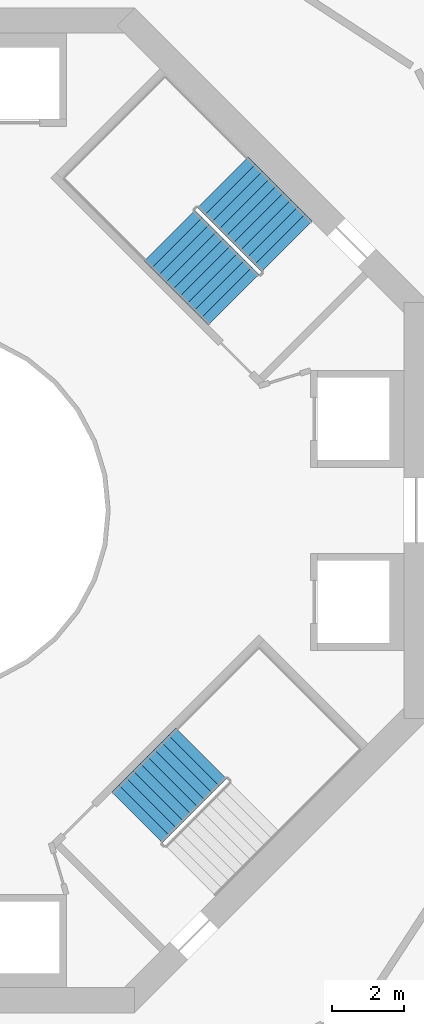
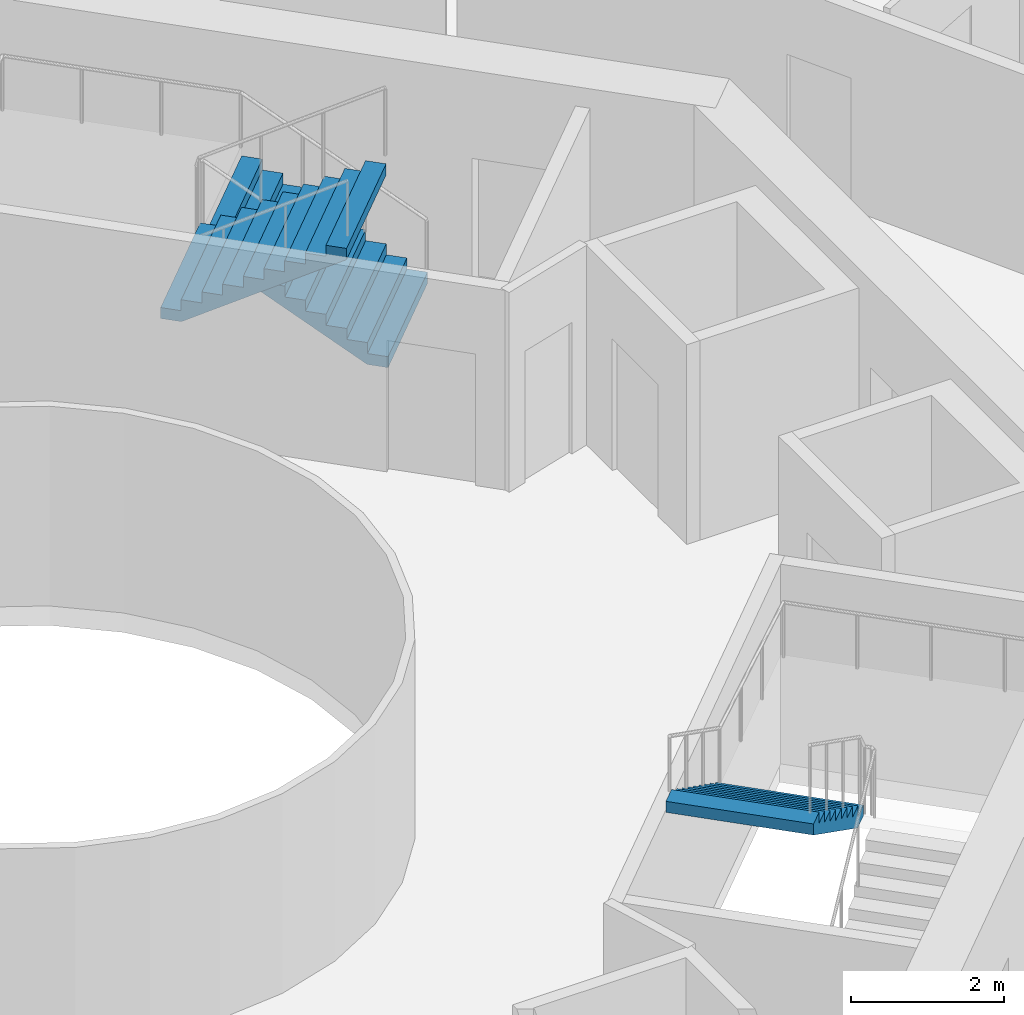
# One storey, part 22 of 23: 3 stair flights, 2 elements without a shape of their own.
"""IFC4 building model written with IfcOpenShell, lengths in metres."""

from ifc_helpers import new_model, si_unit, direction, frame, origin, place, context, subcontext, project, spatial, triangles, material, type_object, element, aggregate, save


model = new_model("IFC4")

# Units and contexts
model_context = context("Model", 3, precision=1e-05, world=origin(), true_north=direction((0.0, 1.0)))
body_context = subcontext(model_context, "Body", "Model", "MODEL_VIEW")
ifc_project = project(units=[si_unit("LENGTHUNIT", "METRE"), si_unit("AREAUNIT", "SQUARE_METRE"), si_unit("VOLUMEUNIT", "CUBIC_METRE"), si_unit("PLANEANGLEUNIT", "RADIAN"), si_unit("MASSUNIT", "GRAM", prefix="KILO")], contexts=[model_context])

# Site, building, storey
site_placement = place(None, origin())
site = spatial("IfcSite", under=ifc_project, at=site_placement, CompositionType="ELEMENT")
building_placement = place(site_placement, origin())
building = spatial("IfcBuilding", under=site, at=building_placement, Name="Verdalira Terraces Hotel", CompositionType="ELEMENT")
storey_placement = place(building_placement, frame((0.0, 0.0, 143.5)))
storey = spatial("IfcBuildingStorey", under=building, at=storey_placement, Name="L34", CompositionType="ELEMENT", Elevation=143.5)

# Stair, stair flights
ifc_material_1 = material(Name="Concrete C40", Category="concrete")
stair_type = type_object("IfcStairType", Name="Core stair 20 risers 2000 mm wide", PredefinedType="HALF_TURN_STAIR", material=ifc_material_1)
stair_1_placement = place(storey_placement, origin())
stair_1 = element("IfcStair", 1, at=stair_1_placement, inside=storey, type_object=stair_type, Name="L34 Exit stair ST1", PredefinedType="HALF_TURN_STAIR")
ifc_material_2 = material(Name="Concrete C40", Category="concrete")
stair_flight_type = type_object("IfcStairFlightType", Name="Core stair flight 20 risers 2000 mm wide", PredefinedType="STRAIGHT", material=ifc_material_2)
stair_flight_1_placement = place(storey_placement, frame((10.041016, 7.354004, 0.0), z_axis=(0.0, 0.0, 1.0), x_axis=(-0.707106781, 0.707106781, 0.0)))
stair_flight_1 = element("IfcStairFlight", 2, at=stair_flight_1_placement, type_object=stair_flight_type, Name="ST1 flight 1", NumberOfRisers=10, NumberOfTreads=9, PredefinedType="STRAIGHT", RiserHeight=0.175, TreadLength=0.28, context=body_context, shape_type="Tessellation", body=[
    triangles([(0.0, 1.0, 0.0), (0.282715, 1.0, 0.0), (2.52002, 1.0, 1.398193), (0.0, -1.0, 0.0), (0.282715, -1.0, 0.0), (2.52002, -1.0, 1.398193), (2.52002, 1.0, 1.574951), (2.23999, 1.0, 1.574951), (2.52002, -1.0, 1.574951), (2.23999, -1.0, 1.574951), (2.23999, 1.0, 1.399902), (2.23999, -1.0, 1.399902), (1.959961, 1.0, 1.399902), (1.959961, -1.0, 1.399902), (1.959961, 1.0, 1.225098), (1.959961, -1.0, 1.225098), (1.679932, 1.0, 1.225098), (1.679932, 1.0, 1.050049), (1.679932, -1.0, 1.225098), (1.679932, -1.0, 1.050049), (1.399902, 1.0, 1.050049), (1.399902, 1.0, 0.875), (1.399902, -1.0, 1.050049), (1.399902, -1.0, 0.875), (1.120117, 1.0, 0.875), (1.120117, 1.0, 0.699951), (1.120117, -1.0, 0.875), (1.120117, -1.0, 0.699951), (0.840088, 1.0, 0.699951), (0.840088, 1.0, 0.524902), (0.840088, -1.0, 0.699951), (0.840088, -1.0, 0.524902), (0.560059, 1.0, 0.524902), (0.560059, 1.0, 0.350098), (0.560059, -1.0, 0.524902), (0.560059, -1.0, 0.350098), (0.280029, 1.0, 0.350098), (0.280029, 1.0, 0.175049), (0.280029, -1.0, 0.350098), (0.280029, -1.0, 0.175049), (0.0, 1.0, 0.175049), (0.0, -1.0, 0.175049), (0.0, -0.9375, 0.0), (0.0, -0.9375, 0.175049), (0.0, -0.875, 0.0), (0.0, -0.875, 0.175049), (0.0, -0.8125, 0.0), (0.0, -0.8125, 0.175049), (0.0, -0.75, 0.0), (0.0, -0.75, 0.175049), (0.0, -0.6875, 0.0), (0.0, -0.6875, 0.175049), (0.0, -0.625, 0.0), (0.0, -0.625, 0.175049), (0.0, -0.5625, 0.0), (0.0, -0.5625, 0.175049), (0.0, -0.5, 0.0), (0.0, -0.5, 0.175049), (0.0, -0.4375, 0.0), (0.0, -0.4375, 0.175049), (0.0, -0.375, 0.0), (0.0, -0.375, 0.175049), (0.0, -0.3125, 0.0), (0.0, -0.3125, 0.175049), (0.0, -0.25, 0.0), (0.0, -0.25, 0.175049), (0.0, -0.1875, 0.0), (0.0, -0.1875, 0.175049), (0.0, -0.125, 0.0), (0.0, -0.125, 0.175049), (0.0, -0.0625, 0.0), (0.0, -0.0625, 0.175049), (0.0, 0.0, 0.0), (0.0, 0.0, 0.175049), (0.0, 0.0625, 0.0), (0.0, 0.0625, 0.175049), (0.0, 0.125, 0.0), (0.0, 0.125, 0.175049), (0.0, 0.1875, 0.0), (0.0, 0.1875, 0.175049), (0.0, 0.25, 0.0), (0.0, 0.25, 0.175049), (0.0, 0.3125, 0.0), (0.0, 0.3125, 0.175049), (0.0, 0.375, 0.0), (0.0, 0.375, 0.175049), (0.0, 0.4375, 0.0), (0.0, 0.4375, 0.175049), (0.0, 0.5, 0.0), (0.0, 0.5, 0.175049), (0.0, 0.5625, 0.0), (0.0, 0.5625, 0.175049), (0.0, 0.625, 0.0), (0.0, 0.625, 0.175049), (0.0, 0.6875, 0.0), (0.0, 0.6875, 0.175049), (0.0, 0.75, 0.0), (0.0, 0.75, 0.175049), (0.0, 0.8125, 0.0), (0.0, 0.8125, 0.175049), (0.0, 0.875, 0.0), (0.0, 0.875, 0.175049), (0.0, 0.9375, 0.0), (0.0, 0.9375, 0.175049), (2.52002, -0.9375, 1.574951), (2.52002, -0.875, 1.574951), (2.52002, -0.8125, 1.574951), (2.52002, -0.75, 1.574951), (2.52002, -0.6875, 1.574951), (2.52002, -0.625, 1.574951), (2.52002, -0.5625, 1.574951), (2.52002, -0.5, 1.574951), (2.52002, -0.4375, 1.574951), (2.52002, -0.375, 1.574951), (2.52002, -0.3125, 1.574951), (2.52002, -0.25, 1.574951), (2.52002, -0.1875, 1.574951), (2.52002, -0.125, 1.574951), (2.52002, -0.0625, 1.574951), (2.52002, 0.0, 1.574951), (2.52002, 0.0625, 1.574951), (2.52002, 0.125, 1.574951), (2.52002, 0.1875, 1.574951), (2.52002, 0.25, 1.574951), (2.52002, 0.3125, 1.574951), (2.52002, 0.375, 1.574951), (2.52002, 0.4375, 1.574951), (2.52002, 0.5, 1.574951), (2.52002, 0.5625, 1.574951), (2.52002, 0.625, 1.574951), (2.52002, 0.6875, 1.574951), (2.52002, 0.75, 1.574951), (2.52002, 0.8125, 1.574951), (2.52002, 0.875, 1.574951), (2.52002, 0.9375, 1.574951), (2.52002, -0.9375, 1.398193), (2.52002, -0.875, 1.398193), (2.52002, -0.8125, 1.398193), (2.52002, -0.75, 1.398193), (2.52002, -0.6875, 1.398193), (2.52002, -0.625, 1.398193), (2.52002, -0.5625, 1.398193), (2.52002, -0.5, 1.398193), (2.52002, -0.4375, 1.398193), (2.52002, -0.375, 1.398193), (2.52002, -0.3125, 1.398193), (2.52002, -0.25, 1.398193), (2.52002, -0.1875, 1.398193), (2.52002, -0.125, 1.398193), (2.52002, -0.0625, 1.398193), (2.52002, 0.0, 1.398193), (2.52002, 0.0625, 1.398193), (2.52002, 0.125, 1.398193), (2.52002, 0.1875, 1.398193), (2.52002, 0.25, 1.398193), (2.52002, 0.3125, 1.398193), (2.52002, 0.375, 1.398193), (2.52002, 0.4375, 1.398193), (2.52002, 0.5, 1.398193), (2.52002, 0.5625, 1.398193), (2.52002, 0.625, 1.398193), (2.52002, 0.6875, 1.398193), (2.52002, 0.75, 1.398193), (2.52002, 0.8125, 1.398193), (2.52002, 0.875, 1.398193), (2.52002, 0.9375, 1.398193)], [[1, 3, 2], [4, 5, 6], [3, 8, 7], [6, 9, 10], [3, 11, 8], [6, 10, 12], [3, 13, 11], [6, 12, 14], [3, 15, 13], [6, 14, 16], [15, 18, 17], [16, 19, 20], [3, 18, 15], [6, 16, 20], [18, 22, 21], [20, 23, 24], [3, 22, 18], [6, 20, 24], [22, 26, 25], [24, 27, 28], [3, 26, 22], [6, 24, 28], [26, 30, 29], [28, 31, 32], [3, 30, 26], [6, 28, 32], [1, 30, 3], [4, 6, 32], [30, 34, 33], [32, 35, 36], [34, 38, 37], [36, 39, 40], [30, 38, 34], [32, 36, 40], [1, 38, 30], [4, 32, 40], [38, 1, 41], [40, 42, 4], [4, 44, 43], [4, 42, 44], [43, 46, 45], [43, 44, 46], [45, 48, 47], [45, 46, 48], [47, 50, 49], [47, 48, 50], [49, 52, 51], [49, 50, 52], [51, 54, 53], [51, 52, 54], [53, 56, 55], [53, 54, 56], [55, 58, 57], [55, 56, 58], [57, 60, 59], [57, 58, 60], [59, 62, 61], [59, 60, 62], [61, 64, 63], [61, 62, 64], [63, 66, 65], [63, 64, 66], [65, 68, 67], [65, 66, 68], [67, 70, 69], [67, 68, 70], [69, 72, 71], [69, 70, 72], [71, 74, 73], [71, 72, 74], [73, 76, 75], [73, 74, 76], [75, 78, 77], [75, 76, 78], [77, 80, 79], [77, 78, 80], [79, 82, 81], [79, 80, 82], [81, 84, 83], [81, 82, 84], [83, 86, 85], [83, 84, 86], [85, 88, 87], [85, 86, 88], [87, 90, 89], [87, 88, 90], [89, 92, 91], [89, 90, 92], [91, 94, 93], [91, 92, 94], [93, 96, 95], [93, 94, 96], [95, 98, 97], [95, 96, 98], [97, 100, 99], [97, 98, 100], [99, 102, 101], [99, 100, 102], [101, 104, 103], [101, 102, 104], [103, 41, 1], [103, 104, 41], [42, 40, 44], [44, 40, 46], [46, 40, 48], [48, 40, 50], [50, 40, 52], [52, 40, 54], [54, 40, 56], [56, 40, 58], [58, 40, 60], [60, 40, 62], [62, 40, 64], [64, 40, 66], [66, 40, 68], [68, 40, 70], [70, 40, 72], [72, 40, 74], [74, 40, 76], [76, 40, 78], [78, 40, 80], [80, 40, 82], [82, 40, 84], [84, 40, 86], [86, 40, 88], [88, 40, 90], [90, 40, 92], [92, 40, 94], [94, 40, 96], [96, 40, 98], [98, 40, 100], [100, 40, 102], [102, 40, 104], [104, 40, 41], [41, 40, 38], [40, 37, 38], [40, 39, 37], [39, 34, 37], [39, 36, 34], [36, 33, 34], [36, 35, 33], [35, 30, 33], [35, 32, 30], [32, 29, 30], [32, 31, 29], [31, 26, 29], [31, 28, 26], [28, 25, 26], [28, 27, 25], [27, 22, 25], [27, 24, 22], [24, 21, 22], [24, 23, 21], [23, 18, 21], [23, 20, 18], [20, 17, 18], [20, 19, 17], [19, 15, 17], [19, 16, 15], [16, 13, 15], [16, 14, 13], [14, 11, 13], [14, 12, 11], [12, 8, 11], [12, 10, 8], [9, 105, 10], [105, 106, 10], [106, 107, 10], [107, 108, 10], [108, 109, 10], [109, 110, 10], [110, 111, 10], [111, 112, 10], [112, 113, 10], [113, 114, 10], [114, 115, 10], [115, 116, 10], [116, 117, 10], [117, 118, 10], [118, 119, 10], [119, 120, 10], [120, 121, 10], [121, 122, 10], [122, 123, 10], [123, 124, 10], [124, 125, 10], [125, 126, 10], [126, 127, 10], [127, 128, 10], [128, 129, 10], [129, 130, 10], [130, 131, 10], [131, 132, 10], [132, 133, 10], [133, 134, 10], [134, 135, 10], [135, 7, 10], [7, 8, 10], [9, 136, 105], [9, 6, 136], [105, 137, 106], [105, 136, 137], [106, 138, 107], [106, 137, 138], [107, 139, 108], [107, 138, 139], [108, 140, 109], [108, 139, 140], [109, 141, 110], [109, 140, 141], [110, 142, 111], [110, 141, 142], [111, 143, 112], [111, 142, 143], [112, 144, 113], [112, 143, 144], [113, 145, 114], [113, 144, 145], [114, 146, 115], [114, 145, 146], [115, 147, 116], [115, 146, 147], [116, 148, 117], [116, 147, 148], [117, 149, 118], [117, 148, 149], [118, 150, 119], [118, 149, 150], [119, 151, 120], [119, 150, 151], [120, 152, 121], [120, 151, 152], [121, 153, 122], [121, 152, 153], [122, 154, 123], [122, 153, 154], [123, 155, 124], [123, 154, 155], [124, 156, 125], [124, 155, 156], [125, 157, 126], [125, 156, 157], [126, 158, 127], [126, 157, 158], [127, 159, 128], [127, 158, 159], [128, 160, 129], [128, 159, 160], [129, 161, 130], [129, 160, 161], [130, 162, 131], [130, 161, 162], [131, 163, 132], [131, 162, 163], [132, 164, 133], [132, 163, 164], [133, 165, 134], [133, 164, 165], [134, 166, 135], [134, 165, 166], [135, 3, 7], [135, 166, 3], [6, 5, 136], [136, 5, 137], [137, 5, 138], [138, 5, 139], [139, 5, 140], [140, 5, 141], [141, 5, 142], [142, 5, 143], [143, 5, 144], [144, 5, 145], [145, 5, 146], [146, 5, 147], [147, 5, 148], [148, 5, 149], [149, 5, 150], [150, 5, 151], [151, 5, 152], [152, 5, 153], [153, 5, 154], [154, 5, 155], [155, 5, 156], [156, 5, 157], [157, 5, 158], [158, 5, 159], [159, 5, 160], [160, 5, 161], [161, 5, 162], [162, 5, 163], [163, 5, 164], [164, 5, 165], [165, 5, 166], [166, 5, 3], [3, 5, 2], [4, 43, 5], [43, 45, 5], [45, 47, 5], [47, 49, 5], [49, 51, 5], [51, 53, 5], [53, 55, 5], [55, 57, 5], [57, 59, 5], [59, 61, 5], [61, 63, 5], [63, 65, 5], [65, 67, 5], [67, 69, 5], [69, 71, 5], [71, 73, 5], [73, 75, 5], [75, 77, 5], [77, 79, 5], [79, 81, 5], [81, 83, 5], [83, 85, 5], [85, 87, 5], [87, 89, 5], [89, 91, 5], [91, 93, 5], [93, 95, 5], [95, 97, 5], [97, 99, 5], [99, 101, 5], [101, 103, 5], [103, 1, 5], [1, 2, 5]], closed=True),
])
stair_flight_2_placement = place(storey_placement, frame((6.77417, 7.650879, 1.75), z_axis=(0.0, 0.0, 1.0), x_axis=(0.707106781, -0.707106781, 0.0)))
stair_flight_2 = element("IfcStairFlight", 3, at=stair_flight_2_placement, type_object=stair_flight_type, Name="ST1 flight 2", NumberOfRisers=10, NumberOfTreads=9, PredefinedType="STRAIGHT", RiserHeight=0.175, TreadLength=0.28, context=body_context, shape_type="Tessellation", body=[
    triangles([(0.0, 1.0, 0.0), (0.282715, 1.0, 0.0), (2.52002, 1.0, 1.398193), (0.0, -1.0, 0.0), (0.282715, -1.0, 0.0), (2.52002, -1.0, 1.398193), (2.52002, 1.0, 1.574951), (2.23999, 1.0, 1.574951), (2.52002, -1.0, 1.574951), (2.23999, -1.0, 1.574951), (2.23999, 1.0, 1.399902), (2.23999, -1.0, 1.399902), (1.959961, 1.0, 1.399902), (1.959961, -1.0, 1.399902), (1.959961, 1.0, 1.225098), (1.959961, -1.0, 1.225098), (1.679932, 1.0, 1.225098), (1.679932, 1.0, 1.050049), (1.679932, -1.0, 1.225098), (1.679932, -1.0, 1.050049), (1.399902, 1.0, 1.050049), (1.399902, 1.0, 0.875), (1.399902, -1.0, 1.050049), (1.399902, -1.0, 0.875), (1.120117, 1.0, 0.875), (1.120117, 1.0, 0.699951), (1.120117, -1.0, 0.875), (1.120117, -1.0, 0.699951), (0.840088, 1.0, 0.699951), (0.840088, 1.0, 0.524902), (0.840088, -1.0, 0.699951), (0.840088, -1.0, 0.524902), (0.560059, 1.0, 0.524902), (0.560059, 1.0, 0.350098), (0.560059, -1.0, 0.524902), (0.560059, -1.0, 0.350098), (0.280029, 1.0, 0.350098), (0.280029, 1.0, 0.175049), (0.280029, -1.0, 0.350098), (0.280029, -1.0, 0.175049), (0.0, 1.0, 0.175049), (0.0, -1.0, 0.175049), (0.0, -0.9375, 0.0), (0.0, -0.9375, 0.175049), (0.0, -0.875, 0.0), (0.0, -0.875, 0.175049), (0.0, -0.8125, 0.0), (0.0, -0.8125, 0.175049), (0.0, -0.75, 0.0), (0.0, -0.75, 0.175049), (0.0, -0.6875, 0.0), (0.0, -0.6875, 0.175049), (0.0, -0.625, 0.0), (0.0, -0.625, 0.175049), (0.0, -0.5625, 0.0), (0.0, -0.5625, 0.175049), (0.0, -0.5, 0.0), (0.0, -0.5, 0.175049), (0.0, -0.4375, 0.0), (0.0, -0.4375, 0.175049), (0.0, -0.375, 0.0), (0.0, -0.375, 0.175049), (0.0, -0.3125, 0.0), (0.0, -0.3125, 0.175049), (0.0, -0.25, 0.0), (0.0, -0.25, 0.175049), (0.0, -0.1875, 0.0), (0.0, -0.1875, 0.175049), (0.0, -0.125, 0.0), (0.0, -0.125, 0.175049), (0.0, -0.0625, 0.0), (0.0, -0.0625, 0.175049), (0.0, 0.0, 0.0), (0.0, 0.0, 0.175049), (0.0, 0.0625, 0.0), (0.0, 0.0625, 0.175049), (0.0, 0.125, 0.0), (0.0, 0.125, 0.175049), (0.0, 0.1875, 0.0), (0.0, 0.1875, 0.175049), (0.0, 0.25, 0.0), (0.0, 0.25, 0.175049), (0.0, 0.3125, 0.0), (0.0, 0.3125, 0.175049), (0.0, 0.375, 0.0), (0.0, 0.375, 0.175049), (0.0, 0.4375, 0.0), (0.0, 0.4375, 0.175049), (0.0, 0.5, 0.0), (0.0, 0.5, 0.175049), (0.0, 0.5625, 0.0), (0.0, 0.5625, 0.175049), (0.0, 0.625, 0.0), (0.0, 0.625, 0.175049), (0.0, 0.6875, 0.0), (0.0, 0.6875, 0.175049), (0.0, 0.75, 0.0), (0.0, 0.75, 0.175049), (0.0, 0.8125, 0.0), (0.0, 0.8125, 0.175049), (0.0, 0.875, 0.0), (0.0, 0.875, 0.175049), (0.0, 0.9375, 0.0), (0.0, 0.9375, 0.175049), (2.52002, -0.9375, 1.574951), (2.52002, -0.875, 1.574951), (2.52002, -0.8125, 1.574951), (2.52002, -0.75, 1.574951), (2.52002, -0.6875, 1.574951), (2.52002, -0.625, 1.574951), (2.52002, -0.5625, 1.574951), (2.52002, -0.5, 1.574951), (2.52002, -0.4375, 1.574951), (2.52002, -0.375, 1.574951), (2.52002, -0.3125, 1.574951), (2.52002, -0.25, 1.574951), (2.52002, -0.1875, 1.574951), (2.52002, -0.125, 1.574951), (2.52002, -0.0625, 1.574951), (2.52002, 0.0, 1.574951), (2.52002, 0.0625, 1.574951), (2.52002, 0.125, 1.574951), (2.52002, 0.1875, 1.574951), (2.52002, 0.25, 1.574951), (2.52002, 0.3125, 1.574951), (2.52002, 0.375, 1.574951), (2.52002, 0.4375, 1.574951), (2.52002, 0.5, 1.574951), (2.52002, 0.5625, 1.574951), (2.52002, 0.625, 1.574951), (2.52002, 0.6875, 1.574951), (2.52002, 0.75, 1.574951), (2.52002, 0.8125, 1.574951), (2.52002, 0.875, 1.574951), (2.52002, 0.9375, 1.574951), (2.52002, -0.9375, 1.398193), (2.52002, -0.875, 1.398193), (2.52002, -0.8125, 1.398193), (2.52002, -0.75, 1.398193), (2.52002, -0.6875, 1.398193), (2.52002, -0.625, 1.398193), (2.52002, -0.5625, 1.398193), (2.52002, -0.5, 1.398193), (2.52002, -0.4375, 1.398193), (2.52002, -0.375, 1.398193), (2.52002, -0.3125, 1.398193), (2.52002, -0.25, 1.398193), (2.52002, -0.1875, 1.398193), (2.52002, -0.125, 1.398193), (2.52002, -0.0625, 1.398193), (2.52002, 0.0, 1.398193), (2.52002, 0.0625, 1.398193), (2.52002, 0.125, 1.398193), (2.52002, 0.1875, 1.398193), (2.52002, 0.25, 1.398193), (2.52002, 0.3125, 1.398193), (2.52002, 0.375, 1.398193), (2.52002, 0.4375, 1.398193), (2.52002, 0.5, 1.398193), (2.52002, 0.5625, 1.398193), (2.52002, 0.625, 1.398193), (2.52002, 0.6875, 1.398193), (2.52002, 0.75, 1.398193), (2.52002, 0.8125, 1.398193), (2.52002, 0.875, 1.398193), (2.52002, 0.9375, 1.398193)], [[1, 3, 2], [4, 5, 6], [3, 8, 7], [6, 9, 10], [3, 11, 8], [6, 10, 12], [3, 13, 11], [6, 12, 14], [3, 15, 13], [6, 14, 16], [15, 18, 17], [16, 19, 20], [3, 18, 15], [6, 16, 20], [18, 22, 21], [20, 23, 24], [3, 22, 18], [6, 20, 24], [22, 26, 25], [24, 27, 28], [3, 26, 22], [6, 24, 28], [26, 30, 29], [28, 31, 32], [3, 30, 26], [6, 28, 32], [1, 30, 3], [4, 6, 32], [30, 34, 33], [32, 35, 36], [34, 38, 37], [36, 39, 40], [30, 38, 34], [32, 36, 40], [1, 38, 30], [4, 32, 40], [38, 1, 41], [40, 42, 4], [4, 44, 43], [4, 42, 44], [43, 46, 45], [43, 44, 46], [45, 48, 47], [45, 46, 48], [47, 50, 49], [47, 48, 50], [49, 52, 51], [49, 50, 52], [51, 54, 53], [51, 52, 54], [53, 56, 55], [53, 54, 56], [55, 58, 57], [55, 56, 58], [57, 60, 59], [57, 58, 60], [59, 62, 61], [59, 60, 62], [61, 64, 63], [61, 62, 64], [63, 66, 65], [63, 64, 66], [65, 68, 67], [65, 66, 68], [67, 70, 69], [67, 68, 70], [69, 72, 71], [69, 70, 72], [71, 74, 73], [71, 72, 74], [73, 76, 75], [73, 74, 76], [75, 78, 77], [75, 76, 78], [77, 80, 79], [77, 78, 80], [79, 82, 81], [79, 80, 82], [81, 84, 83], [81, 82, 84], [83, 86, 85], [83, 84, 86], [85, 88, 87], [85, 86, 88], [87, 90, 89], [87, 88, 90], [89, 92, 91], [89, 90, 92], [91, 94, 93], [91, 92, 94], [93, 96, 95], [93, 94, 96], [95, 98, 97], [95, 96, 98], [97, 100, 99], [97, 98, 100], [99, 102, 101], [99, 100, 102], [101, 104, 103], [101, 102, 104], [103, 41, 1], [103, 104, 41], [42, 40, 44], [44, 40, 46], [46, 40, 48], [48, 40, 50], [50, 40, 52], [52, 40, 54], [54, 40, 56], [56, 40, 58], [58, 40, 60], [60, 40, 62], [62, 40, 64], [64, 40, 66], [66, 40, 68], [68, 40, 70], [70, 40, 72], [72, 40, 74], [74, 40, 76], [76, 40, 78], [78, 40, 80], [80, 40, 82], [82, 40, 84], [84, 40, 86], [86, 40, 88], [88, 40, 90], [90, 40, 92], [92, 40, 94], [94, 40, 96], [96, 40, 98], [98, 40, 100], [100, 40, 102], [102, 40, 104], [104, 40, 41], [41, 40, 38], [40, 37, 38], [40, 39, 37], [39, 34, 37], [39, 36, 34], [36, 33, 34], [36, 35, 33], [35, 30, 33], [35, 32, 30], [32, 29, 30], [32, 31, 29], [31, 26, 29], [31, 28, 26], [28, 25, 26], [28, 27, 25], [27, 22, 25], [27, 24, 22], [24, 21, 22], [24, 23, 21], [23, 18, 21], [23, 20, 18], [20, 17, 18], [20, 19, 17], [19, 15, 17], [19, 16, 15], [16, 13, 15], [16, 14, 13], [14, 11, 13], [14, 12, 11], [12, 8, 11], [12, 10, 8], [9, 105, 10], [105, 106, 10], [106, 107, 10], [107, 108, 10], [108, 109, 10], [109, 110, 10], [110, 111, 10], [111, 112, 10], [112, 113, 10], [113, 114, 10], [114, 115, 10], [115, 116, 10], [116, 117, 10], [117, 118, 10], [118, 119, 10], [119, 120, 10], [120, 121, 10], [121, 122, 10], [122, 123, 10], [123, 124, 10], [124, 125, 10], [125, 126, 10], [126, 127, 10], [127, 128, 10], [128, 129, 10], [129, 130, 10], [130, 131, 10], [131, 132, 10], [132, 133, 10], [133, 134, 10], [134, 135, 10], [135, 7, 10], [7, 8, 10], [9, 136, 105], [9, 6, 136], [105, 137, 106], [105, 136, 137], [106, 138, 107], [106, 137, 138], [107, 139, 108], [107, 138, 139], [108, 140, 109], [108, 139, 140], [109, 141, 110], [109, 140, 141], [110, 142, 111], [110, 141, 142], [111, 143, 112], [111, 142, 143], [112, 144, 113], [112, 143, 144], [113, 145, 114], [113, 144, 145], [114, 146, 115], [114, 145, 146], [115, 147, 116], [115, 146, 147], [116, 148, 117], [116, 147, 148], [117, 149, 118], [117, 148, 149], [118, 150, 119], [118, 149, 150], [119, 151, 120], [119, 150, 151], [120, 152, 121], [120, 151, 152], [121, 153, 122], [121, 152, 153], [122, 154, 123], [122, 153, 154], [123, 155, 124], [123, 154, 155], [124, 156, 125], [124, 155, 156], [125, 157, 126], [125, 156, 157], [126, 158, 127], [126, 157, 158], [127, 159, 128], [127, 158, 159], [128, 160, 129], [128, 159, 160], [129, 161, 130], [129, 160, 161], [130, 162, 131], [130, 161, 162], [131, 163, 132], [131, 162, 163], [132, 164, 133], [132, 163, 164], [133, 165, 134], [133, 164, 165], [134, 166, 135], [134, 165, 166], [135, 3, 7], [135, 166, 3], [6, 5, 136], [136, 5, 137], [137, 5, 138], [138, 5, 139], [139, 5, 140], [140, 5, 141], [141, 5, 142], [142, 5, 143], [143, 5, 144], [144, 5, 145], [145, 5, 146], [146, 5, 147], [147, 5, 148], [148, 5, 149], [149, 5, 150], [150, 5, 151], [151, 5, 152], [152, 5, 153], [153, 5, 154], [154, 5, 155], [155, 5, 156], [156, 5, 157], [157, 5, 158], [158, 5, 159], [159, 5, 160], [160, 5, 161], [161, 5, 162], [162, 5, 163], [163, 5, 164], [164, 5, 165], [165, 5, 166], [166, 5, 3], [3, 5, 2], [4, 43, 5], [43, 45, 5], [45, 47, 5], [47, 49, 5], [49, 51, 5], [51, 53, 5], [53, 55, 5], [55, 57, 5], [57, 59, 5], [59, 61, 5], [61, 63, 5], [63, 65, 5], [65, 67, 5], [67, 69, 5], [69, 71, 5], [71, 73, 5], [73, 75, 5], [75, 77, 5], [77, 79, 5], [79, 81, 5], [81, 83, 5], [83, 85, 5], [85, 87, 5], [87, 89, 5], [89, 91, 5], [91, 93, 5], [93, 95, 5], [95, 97, 5], [97, 99, 5], [99, 101, 5], [101, 103, 5], [103, 1, 5], [1, 2, 5]], closed=True),
])
aggregate(stair_1, [stair_flight_1, stair_flight_2])

# Stair, stair flight
stair_2_placement = place(storey_placement, origin())
stair_2 = element("IfcStair", 4, at=stair_2_placement, inside=storey, type_object=stair_type, Name="L34 Exit stair ST3", PredefinedType="HALF_TURN_STAIR")
stair_flight_3_placement = place(storey_placement, frame((7.650879, -6.77417, 1.75), z_axis=(0.0, 0.0, 1.0), x_axis=(-0.707106781, -0.707106781, 0.0)))
stair_flight_3 = element("IfcStairFlight", 5, at=stair_flight_3_placement, type_object=stair_flight_type, Name="ST3 flight 2", NumberOfRisers=10, NumberOfTreads=9, PredefinedType="STRAIGHT", RiserHeight=0.175, TreadLength=0.28, context=body_context, shape_type="Tessellation", body=[
    triangles([(0.0, 1.0, 0.0), (0.282715, 1.0, 0.0), (2.52002, 1.0, 1.398193), (0.0, -1.0, 0.0), (0.282715, -1.0, 0.0), (2.52002, -1.0, 1.398193), (2.52002, 1.0, 1.574951), (2.23999, 1.0, 1.574951), (2.52002, -1.0, 1.574951), (2.23999, -1.0, 1.574951), (2.23999, 1.0, 1.399902), (2.23999, -1.0, 1.399902), (1.959961, 1.0, 1.399902), (1.959961, -1.0, 1.399902), (1.959961, 1.0, 1.225098), (1.959961, -1.0, 1.225098), (1.679932, 1.0, 1.225098), (1.679932, 1.0, 1.050049), (1.679932, -1.0, 1.225098), (1.679932, -1.0, 1.050049), (1.399902, 1.0, 1.050049), (1.399902, 1.0, 0.875), (1.399902, -1.0, 1.050049), (1.399902, -1.0, 0.875), (1.120117, 1.0, 0.875), (1.120117, 1.0, 0.699951), (1.120117, -1.0, 0.875), (1.120117, -1.0, 0.699951), (0.840088, 1.0, 0.699951), (0.840088, 1.0, 0.524902), (0.840088, -1.0, 0.699951), (0.840088, -1.0, 0.524902), (0.560059, 1.0, 0.524902), (0.560059, 1.0, 0.350098), (0.560059, -1.0, 0.524902), (0.560059, -1.0, 0.350098), (0.280029, 1.0, 0.350098), (0.280029, 1.0, 0.175049), (0.280029, -1.0, 0.350098), (0.280029, -1.0, 0.175049), (0.0, 1.0, 0.175049), (0.0, -1.0, 0.175049), (0.0, -0.9375, 0.0), (0.0, -0.9375, 0.175049), (0.0, -0.875, 0.0), (0.0, -0.875, 0.175049), (0.0, -0.8125, 0.0), (0.0, -0.8125, 0.175049), (0.0, -0.75, 0.0), (0.0, -0.75, 0.175049), (0.0, -0.6875, 0.0), (0.0, -0.6875, 0.175049), (0.0, -0.625, 0.0), (0.0, -0.625, 0.175049), (0.0, -0.5625, 0.0), (0.0, -0.5625, 0.175049), (0.0, -0.5, 0.0), (0.0, -0.5, 0.175049), (0.0, -0.4375, 0.0), (0.0, -0.4375, 0.175049), (0.0, -0.375, 0.0), (0.0, -0.375, 0.175049), (0.0, -0.3125, 0.0), (0.0, -0.3125, 0.175049), (0.0, -0.25, 0.0), (0.0, -0.25, 0.175049), (0.0, -0.1875, 0.0), (0.0, -0.1875, 0.175049), (0.0, -0.125, 0.0), (0.0, -0.125, 0.175049), (0.0, -0.0625, 0.0), (0.0, -0.0625, 0.175049), (0.0, 0.0, 0.0), (0.0, 0.0, 0.175049), (0.0, 0.0625, 0.0), (0.0, 0.0625, 0.175049), (0.0, 0.125, 0.0), (0.0, 0.125, 0.175049), (0.0, 0.1875, 0.0), (0.0, 0.1875, 0.175049), (0.0, 0.25, 0.0), (0.0, 0.25, 0.175049), (0.0, 0.3125, 0.0), (0.0, 0.3125, 0.175049), (0.0, 0.375, 0.0), (0.0, 0.375, 0.175049), (0.0, 0.4375, 0.0), (0.0, 0.4375, 0.175049), (0.0, 0.5, 0.0), (0.0, 0.5, 0.175049), (0.0, 0.5625, 0.0), (0.0, 0.5625, 0.175049), (0.0, 0.625, 0.0), (0.0, 0.625, 0.175049), (0.0, 0.6875, 0.0), (0.0, 0.6875, 0.175049), (0.0, 0.75, 0.0), (0.0, 0.75, 0.175049), (0.0, 0.8125, 0.0), (0.0, 0.8125, 0.175049), (0.0, 0.875, 0.0), (0.0, 0.875, 0.175049), (0.0, 0.9375, 0.0), (0.0, 0.9375, 0.175049), (2.52002, -0.9375, 1.574951), (2.52002, -0.875, 1.574951), (2.52002, -0.8125, 1.574951), (2.52002, -0.75, 1.574951), (2.52002, -0.6875, 1.574951), (2.52002, -0.625, 1.574951), (2.52002, -0.5625, 1.574951), (2.52002, -0.5, 1.574951), (2.52002, -0.4375, 1.574951), (2.52002, -0.375, 1.574951), (2.52002, -0.3125, 1.574951), (2.52002, -0.25, 1.574951), (2.52002, -0.1875, 1.574951), (2.52002, -0.125, 1.574951), (2.52002, -0.0625, 1.574951), (2.52002, 0.0, 1.574951), (2.52002, 0.0625, 1.574951), (2.52002, 0.125, 1.574951), (2.52002, 0.1875, 1.574951), (2.52002, 0.25, 1.574951), (2.52002, 0.3125, 1.574951), (2.52002, 0.375, 1.574951), (2.52002, 0.4375, 1.574951), (2.52002, 0.5, 1.574951), (2.52002, 0.5625, 1.574951), (2.52002, 0.625, 1.574951), (2.52002, 0.6875, 1.574951), (2.52002, 0.75, 1.574951), (2.52002, 0.8125, 1.574951), (2.52002, 0.875, 1.574951), (2.52002, 0.9375, 1.574951), (2.52002, -0.9375, 1.398193), (2.52002, -0.875, 1.398193), (2.52002, -0.8125, 1.398193), (2.52002, -0.75, 1.398193), (2.52002, -0.6875, 1.398193), (2.52002, -0.625, 1.398193), (2.52002, -0.5625, 1.398193), (2.52002, -0.5, 1.398193), (2.52002, -0.4375, 1.398193), (2.52002, -0.375, 1.398193), (2.52002, -0.3125, 1.398193), (2.52002, -0.25, 1.398193), (2.52002, -0.1875, 1.398193), (2.52002, -0.125, 1.398193), (2.52002, -0.0625, 1.398193), (2.52002, 0.0, 1.398193), (2.52002, 0.0625, 1.398193), (2.52002, 0.125, 1.398193), (2.52002, 0.1875, 1.398193), (2.52002, 0.25, 1.398193), (2.52002, 0.3125, 1.398193), (2.52002, 0.375, 1.398193), (2.52002, 0.4375, 1.398193), (2.52002, 0.5, 1.398193), (2.52002, 0.5625, 1.398193), (2.52002, 0.625, 1.398193), (2.52002, 0.6875, 1.398193), (2.52002, 0.75, 1.398193), (2.52002, 0.8125, 1.398193), (2.52002, 0.875, 1.398193), (2.52002, 0.9375, 1.398193)], [[1, 3, 2], [4, 5, 6], [3, 8, 7], [6, 9, 10], [3, 11, 8], [6, 10, 12], [3, 13, 11], [6, 12, 14], [3, 15, 13], [6, 14, 16], [15, 18, 17], [16, 19, 20], [3, 18, 15], [6, 16, 20], [18, 22, 21], [20, 23, 24], [3, 22, 18], [6, 20, 24], [22, 26, 25], [24, 27, 28], [3, 26, 22], [6, 24, 28], [26, 30, 29], [28, 31, 32], [3, 30, 26], [6, 28, 32], [1, 30, 3], [4, 6, 32], [30, 34, 33], [32, 35, 36], [34, 38, 37], [36, 39, 40], [30, 38, 34], [32, 36, 40], [1, 38, 30], [4, 32, 40], [38, 1, 41], [40, 42, 4], [4, 44, 43], [4, 42, 44], [43, 46, 45], [43, 44, 46], [45, 48, 47], [45, 46, 48], [47, 50, 49], [47, 48, 50], [49, 52, 51], [49, 50, 52], [51, 54, 53], [51, 52, 54], [53, 56, 55], [53, 54, 56], [55, 58, 57], [55, 56, 58], [57, 60, 59], [57, 58, 60], [59, 62, 61], [59, 60, 62], [61, 64, 63], [61, 62, 64], [63, 66, 65], [63, 64, 66], [65, 68, 67], [65, 66, 68], [67, 70, 69], [67, 68, 70], [69, 72, 71], [69, 70, 72], [71, 74, 73], [71, 72, 74], [73, 76, 75], [73, 74, 76], [75, 78, 77], [75, 76, 78], [77, 80, 79], [77, 78, 80], [79, 82, 81], [79, 80, 82], [81, 84, 83], [81, 82, 84], [83, 86, 85], [83, 84, 86], [85, 88, 87], [85, 86, 88], [87, 90, 89], [87, 88, 90], [89, 92, 91], [89, 90, 92], [91, 94, 93], [91, 92, 94], [93, 96, 95], [93, 94, 96], [95, 98, 97], [95, 96, 98], [97, 100, 99], [97, 98, 100], [99, 102, 101], [99, 100, 102], [101, 104, 103], [101, 102, 104], [103, 41, 1], [103, 104, 41], [42, 40, 44], [44, 40, 46], [46, 40, 48], [48, 40, 50], [50, 40, 52], [52, 40, 54], [54, 40, 56], [56, 40, 58], [58, 40, 60], [60, 40, 62], [62, 40, 64], [64, 40, 66], [66, 40, 68], [68, 40, 70], [70, 40, 72], [72, 40, 74], [74, 40, 76], [76, 40, 78], [78, 40, 80], [80, 40, 82], [82, 40, 84], [84, 40, 86], [86, 40, 88], [88, 40, 90], [90, 40, 92], [92, 40, 94], [94, 40, 96], [96, 40, 98], [98, 40, 100], [100, 40, 102], [102, 40, 104], [104, 40, 41], [41, 40, 38], [40, 37, 38], [40, 39, 37], [39, 34, 37], [39, 36, 34], [36, 33, 34], [36, 35, 33], [35, 30, 33], [35, 32, 30], [32, 29, 30], [32, 31, 29], [31, 26, 29], [31, 28, 26], [28, 25, 26], [28, 27, 25], [27, 22, 25], [27, 24, 22], [24, 21, 22], [24, 23, 21], [23, 18, 21], [23, 20, 18], [20, 17, 18], [20, 19, 17], [19, 15, 17], [19, 16, 15], [16, 13, 15], [16, 14, 13], [14, 11, 13], [14, 12, 11], [12, 8, 11], [12, 10, 8], [9, 105, 10], [105, 106, 10], [106, 107, 10], [107, 108, 10], [108, 109, 10], [109, 110, 10], [110, 111, 10], [111, 112, 10], [112, 113, 10], [113, 114, 10], [114, 115, 10], [115, 116, 10], [116, 117, 10], [117, 118, 10], [118, 119, 10], [119, 120, 10], [120, 121, 10], [121, 122, 10], [122, 123, 10], [123, 124, 10], [124, 125, 10], [125, 126, 10], [126, 127, 10], [127, 128, 10], [128, 129, 10], [129, 130, 10], [130, 131, 10], [131, 132, 10], [132, 133, 10], [133, 134, 10], [134, 135, 10], [135, 7, 10], [7, 8, 10], [9, 136, 105], [9, 6, 136], [105, 137, 106], [105, 136, 137], [106, 138, 107], [106, 137, 138], [107, 139, 108], [107, 138, 139], [108, 140, 109], [108, 139, 140], [109, 141, 110], [109, 140, 141], [110, 142, 111], [110, 141, 142], [111, 143, 112], [111, 142, 143], [112, 144, 113], [112, 143, 144], [113, 145, 114], [113, 144, 145], [114, 146, 115], [114, 145, 146], [115, 147, 116], [115, 146, 147], [116, 148, 117], [116, 147, 148], [117, 149, 118], [117, 148, 149], [118, 150, 119], [118, 149, 150], [119, 151, 120], [119, 150, 151], [120, 152, 121], [120, 151, 152], [121, 153, 122], [121, 152, 153], [122, 154, 123], [122, 153, 154], [123, 155, 124], [123, 154, 155], [124, 156, 125], [124, 155, 156], [125, 157, 126], [125, 156, 157], [126, 158, 127], [126, 157, 158], [127, 159, 128], [127, 158, 159], [128, 160, 129], [128, 159, 160], [129, 161, 130], [129, 160, 161], [130, 162, 131], [130, 161, 162], [131, 163, 132], [131, 162, 163], [132, 164, 133], [132, 163, 164], [133, 165, 134], [133, 164, 165], [134, 166, 135], [134, 165, 166], [135, 3, 7], [135, 166, 3], [6, 5, 136], [136, 5, 137], [137, 5, 138], [138, 5, 139], [139, 5, 140], [140, 5, 141], [141, 5, 142], [142, 5, 143], [143, 5, 144], [144, 5, 145], [145, 5, 146], [146, 5, 147], [147, 5, 148], [148, 5, 149], [149, 5, 150], [150, 5, 151], [151, 5, 152], [152, 5, 153], [153, 5, 154], [154, 5, 155], [155, 5, 156], [156, 5, 157], [157, 5, 158], [158, 5, 159], [159, 5, 160], [160, 5, 161], [161, 5, 162], [162, 5, 163], [163, 5, 164], [164, 5, 165], [165, 5, 166], [166, 5, 3], [3, 5, 2], [4, 43, 5], [43, 45, 5], [45, 47, 5], [47, 49, 5], [49, 51, 5], [51, 53, 5], [53, 55, 5], [55, 57, 5], [57, 59, 5], [59, 61, 5], [61, 63, 5], [63, 65, 5], [65, 67, 5], [67, 69, 5], [69, 71, 5], [71, 73, 5], [73, 75, 5], [75, 77, 5], [77, 79, 5], [79, 81, 5], [81, 83, 5], [83, 85, 5], [85, 87, 5], [87, 89, 5], [89, 91, 5], [91, 93, 5], [93, 95, 5], [95, 97, 5], [97, 99, 5], [99, 101, 5], [101, 103, 5], [103, 1, 5], [1, 2, 5]], closed=True),
])
aggregate(stair_2, [stair_flight_3])

save(model, "model.ifc")
